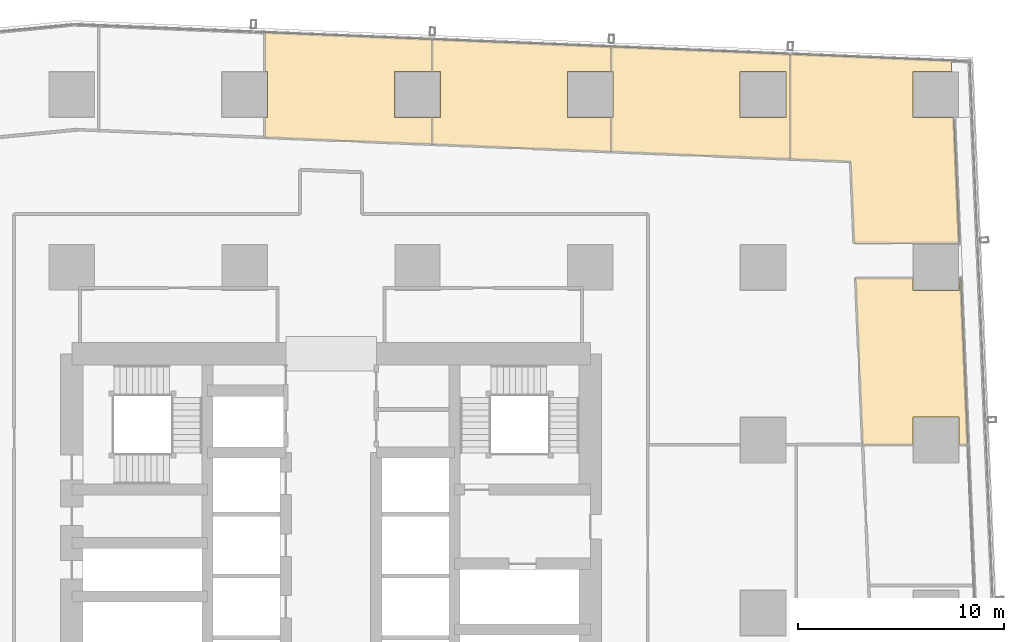
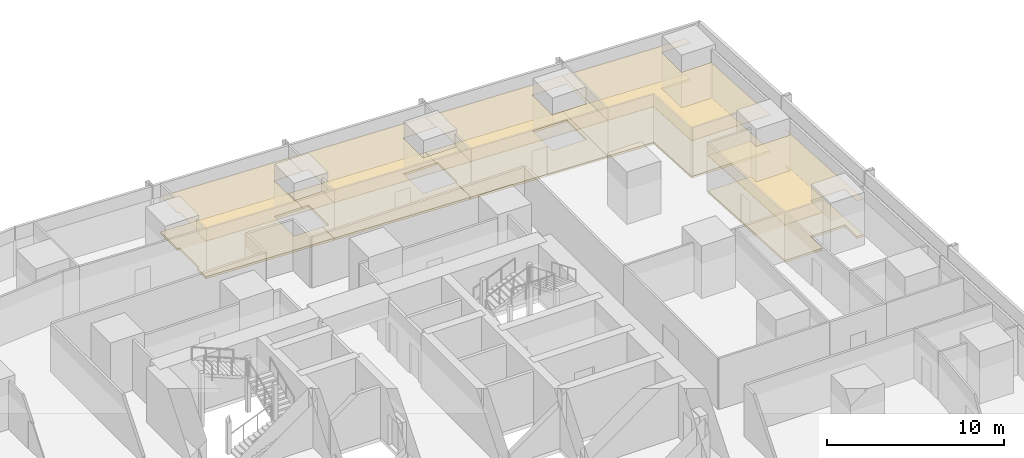
# One storey, part 44 of 44: 10 coverings.
"""IFC4 building model written with IfcOpenShell, lengths in metres."""

from ifc_helpers import new_model, si_unit, direction, frame, origin, place, context, subcontext, project, spatial, polyline, outline, extrude, material, layer, layer_set, type_object, element, save


model = new_model("IFC4")

# Units and contexts
model_context = context("Model", 3, precision=1e-05, world=origin(), true_north=direction((0.0, 1.0)))
body_context = subcontext(model_context, "Body", "Model", "MODEL_VIEW")
ifc_project = project(units=[si_unit("LENGTHUNIT", "METRE"), si_unit("AREAUNIT", "SQUARE_METRE"), si_unit("VOLUMEUNIT", "CUBIC_METRE"), si_unit("PLANEANGLEUNIT", "RADIAN"), si_unit("MASSUNIT", "GRAM", prefix="KILO")], contexts=[model_context])

# Site, building, storey
site_placement = place(None, origin())
site = spatial("IfcSite", under=ifc_project, at=site_placement, CompositionType="ELEMENT")
building_placement = place(site_placement, origin())
building = spatial("IfcBuilding", under=site, at=building_placement, Name="Rekha Terrace Tower", CompositionType="ELEMENT")
storey_placement = place(building_placement, frame((0.0, 0.0, 59.14990234375)))
storey = spatial("IfcBuildingStorey", under=building, at=storey_placement, Name="L14", CompositionType="ELEMENT", Elevation=59.14990234375)

# Coverings
ifc_material_1 = material(Name="Mineral fibre tile in exposed grid", Category="finish")
ifc_layer_1 = layer(ifc_material_1, 0.02001953125)
ifc_layer_set_1 = layer_set([ifc_layer_1], Name="Mineral fibre tile in exposed grid")
covering_type_1 = type_object("IfcCoveringType", Name="CL1 600x1200 office grid ceiling", PredefinedType="CEILING", material=ifc_layer_set_1)
covering_1_placement = place(storey_placement, frame((0.0, 0.0, 2.580078125)))
element("IfcCovering", 1, at=covering_1_placement, inside=storey, type_object=covering_type_1, Name="Ceiling L14-13", PredefinedType="CEILING", context=body_context, shape_type="SweptSolid", body=[
    extrude(outline(polyline([(66.0849609375, 49.284912109375), (66.0849609375, 49.87890625), (63.29296875, 49.87890625), (63.638916015625, 41.781982421875), (66.0849609375, 41.781982421875), (66.0849609375, 43.114990234375), (68.31494140625, 43.114990234375), (68.31494140625, 41.781982421875), (68.742919921875, 41.781982421875), (68.39697265625, 49.87890625), (68.31494140625, 49.87890625), (68.31494140625, 49.284912109375), (66.0849609375, 49.284912109375)])), origin(), (0.0, 0.0, 1.0), 0.02001953125),
])
covering_2_placement = place(storey_placement, frame((0.0, 0.0, 2.580078125)))
element("IfcCovering", 2, at=covering_2_placement, inside=storey, type_object=covering_type_1, Name="Ceiling L14-14", PredefinedType="CEILING", context=body_context, shape_type="SweptSolid", body=[
    extrude(outline(polyline([(67.946044921875, 60.443115234375), (60.112060546875, 60.76611328125), (60.112060546875, 55.662109375), (63.051025390625, 55.5400390625), (63.220947265625, 51.556884765625), (68.325927734375, 51.556884765625), (68.06396484375, 57.68505859375), (66.0849609375, 57.68505859375), (66.0849609375, 59.9150390625), (67.968994140625, 59.9150390625), (67.946044921875, 60.443115234375)])), origin(), (0.0, 0.0, 1.0), 0.02001953125),
])
covering_3_placement = place(storey_placement, frame((0.0, 0.0, 2.580078125)))
element("IfcCovering", 3, at=covering_3_placement, inside=storey, type_object=covering_type_1, Name="Ceiling L14-15", PredefinedType="CEILING", context=body_context, shape_type="SweptSolid", body=[
    extrude(outline(polyline([(60.111083984375, 55.662109375), (60.111083984375, 60.76611328125), (51.416015625, 61.1240234375), (51.416015625, 59.9150390625), (51.514892578125, 59.9150390625), (51.514892578125, 57.68505859375), (51.416015625, 57.68505859375), (51.416015625, 56.02001953125), (60.111083984375, 55.662109375)]), holes=[polyline([(59.9150390625, 57.68505859375), (57.68505859375, 57.68505859375), (57.68505859375, 59.9150390625), (59.9150390625, 59.9150390625), (59.9150390625, 57.68505859375)])]), origin(), (0.0, 0.0, 1.0), 0.02001953125),
])
covering_4_placement = place(storey_placement, frame((0.0, 0.0, 2.580078125)))
element("IfcCovering", 4, at=covering_4_placement, inside=storey, type_object=covering_type_1, Name="Ceiling L14-16", PredefinedType="CEILING", context=body_context, shape_type="SweptSolid", body=[
    extrude(outline(polyline([(51.4150390625, 59.9150390625), (51.4150390625, 61.125), (42.718994140625, 61.48291015625), (42.718994140625, 59.9150390625), (43.114990234375, 59.9150390625), (43.114990234375, 57.68505859375), (42.718994140625, 57.68505859375), (42.718994140625, 56.37890625), (51.4150390625, 56.02001953125), (51.4150390625, 57.68505859375), (49.284912109375, 57.68505859375), (49.284912109375, 59.9150390625), (51.4150390625, 59.9150390625)])), origin(), (0.0, 0.0, 1.0), 0.02001953125),
])
covering_5_placement = place(storey_placement, frame((0.0, 0.0, 2.580078125)))
element("IfcCovering", 5, at=covering_5_placement, inside=storey, type_object=covering_type_1, Name="Ceiling L14-17", PredefinedType="CEILING", context=body_context, shape_type="SweptSolid", body=[
    extrude(outline(polyline([(42.718017578125, 59.9150390625), (42.718017578125, 61.48291015625), (34.583984375, 61.818115234375), (34.583984375, 59.9150390625), (34.715087890625, 59.9150390625), (34.715087890625, 57.68505859375), (34.583984375, 57.68505859375), (34.583984375, 56.714111328125), (42.718017578125, 56.37890625), (42.718017578125, 57.68505859375), (40.885009765625, 57.68505859375), (40.885009765625, 59.9150390625), (42.718017578125, 59.9150390625)])), origin(), (0.0, 0.0, 1.0), 0.02001953125),
])
ifc_material_2 = material(Name="Calcium sulphate panels on steel pedestals", Category="steel")
ifc_layer_2 = layer(ifc_material_2, 0.14990234375)
ifc_layer_set_2 = layer_set([ifc_layer_2], Name="Calcium sulphate panels on steel pedestals")
covering_type_2 = type_object("IfcCoveringType", Name="RF1 150 raised access floor", PredefinedType="FLOORING", material=ifc_layer_set_2)
covering_6_placement = place(storey_placement, origin())
element("IfcCovering", 6, at=covering_6_placement, inside=storey, type_object=covering_type_2, Name="Raised floor L14-13", PredefinedType="FLOORING", context=body_context, shape_type="SweptSolid", body=[
    extrude(outline(polyline([(66.0849609375, 49.284912109375), (66.0849609375, 49.87890625), (63.29296875, 49.87890625), (63.638916015625, 41.781982421875), (66.0849609375, 41.781982421875), (66.0849609375, 43.114990234375), (68.31494140625, 43.114990234375), (68.31494140625, 41.781982421875), (68.742919921875, 41.781982421875), (68.39697265625, 49.87890625), (68.31494140625, 49.87890625), (68.31494140625, 49.284912109375), (66.0849609375, 49.284912109375)])), origin(), (0.0, 0.0, 1.0), 0.150146484375),
])
covering_7_placement = place(storey_placement, origin())
element("IfcCovering", 7, at=covering_7_placement, inside=storey, type_object=covering_type_2, Name="Raised floor L14-14", PredefinedType="FLOORING", context=body_context, shape_type="SweptSolid", body=[
    extrude(outline(polyline([(67.946044921875, 60.443115234375), (60.112060546875, 60.76611328125), (60.112060546875, 55.662109375), (63.051025390625, 55.5400390625), (63.220947265625, 51.556884765625), (68.325927734375, 51.556884765625), (68.06396484375, 57.68505859375), (66.0849609375, 57.68505859375), (66.0849609375, 59.9150390625), (67.968994140625, 59.9150390625), (67.946044921875, 60.443115234375)])), origin(), (0.0, 0.0, 1.0), 0.150146484375),
])
covering_8_placement = place(storey_placement, origin())
element("IfcCovering", 8, at=covering_8_placement, inside=storey, type_object=covering_type_2, Name="Raised floor L14-15", PredefinedType="FLOORING", context=body_context, shape_type="SweptSolid", body=[
    extrude(outline(polyline([(60.111083984375, 55.662109375), (60.111083984375, 60.76611328125), (51.416015625, 61.1240234375), (51.416015625, 59.9150390625), (51.514892578125, 59.9150390625), (51.514892578125, 57.68505859375), (51.416015625, 57.68505859375), (51.416015625, 56.02001953125), (60.111083984375, 55.662109375)]), holes=[polyline([(59.9150390625, 57.68505859375), (57.68505859375, 57.68505859375), (57.68505859375, 59.9150390625), (59.9150390625, 59.9150390625), (59.9150390625, 57.68505859375)])]), origin(), (0.0, 0.0, 1.0), 0.150146484375),
])
covering_9_placement = place(storey_placement, origin())
element("IfcCovering", 9, at=covering_9_placement, inside=storey, type_object=covering_type_2, Name="Raised floor L14-16", PredefinedType="FLOORING", context=body_context, shape_type="SweptSolid", body=[
    extrude(outline(polyline([(51.4150390625, 59.9150390625), (51.4150390625, 61.125), (42.718994140625, 61.48291015625), (42.718994140625, 59.9150390625), (43.114990234375, 59.9150390625), (43.114990234375, 57.68505859375), (42.718994140625, 57.68505859375), (42.718994140625, 56.37890625), (51.4150390625, 56.02001953125), (51.4150390625, 57.68505859375), (49.284912109375, 57.68505859375), (49.284912109375, 59.9150390625), (51.4150390625, 59.9150390625)])), origin(), (0.0, 0.0, 1.0), 0.150146484375),
])
covering_10_placement = place(storey_placement, origin())
element("IfcCovering", 10, at=covering_10_placement, inside=storey, type_object=covering_type_2, Name="Raised floor L14-17", PredefinedType="FLOORING", context=body_context, shape_type="SweptSolid", body=[
    extrude(outline(polyline([(42.718017578125, 59.9150390625), (42.718017578125, 61.48291015625), (34.583984375, 61.818115234375), (34.583984375, 59.9150390625), (34.715087890625, 59.9150390625), (34.715087890625, 57.68505859375), (34.583984375, 57.68505859375), (34.583984375, 56.714111328125), (42.718017578125, 56.37890625), (42.718017578125, 57.68505859375), (40.885009765625, 57.68505859375), (40.885009765625, 59.9150390625), (42.718017578125, 59.9150390625)])), origin(), (0.0, 0.0, 1.0), 0.150146484375),
])

save(model, "model.ifc")
